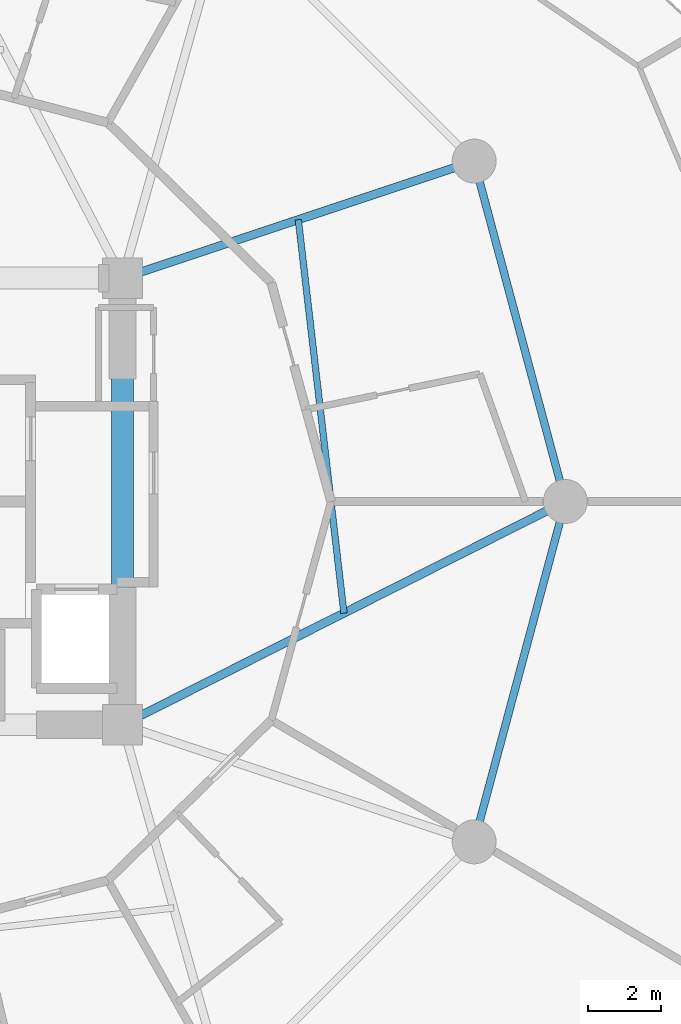
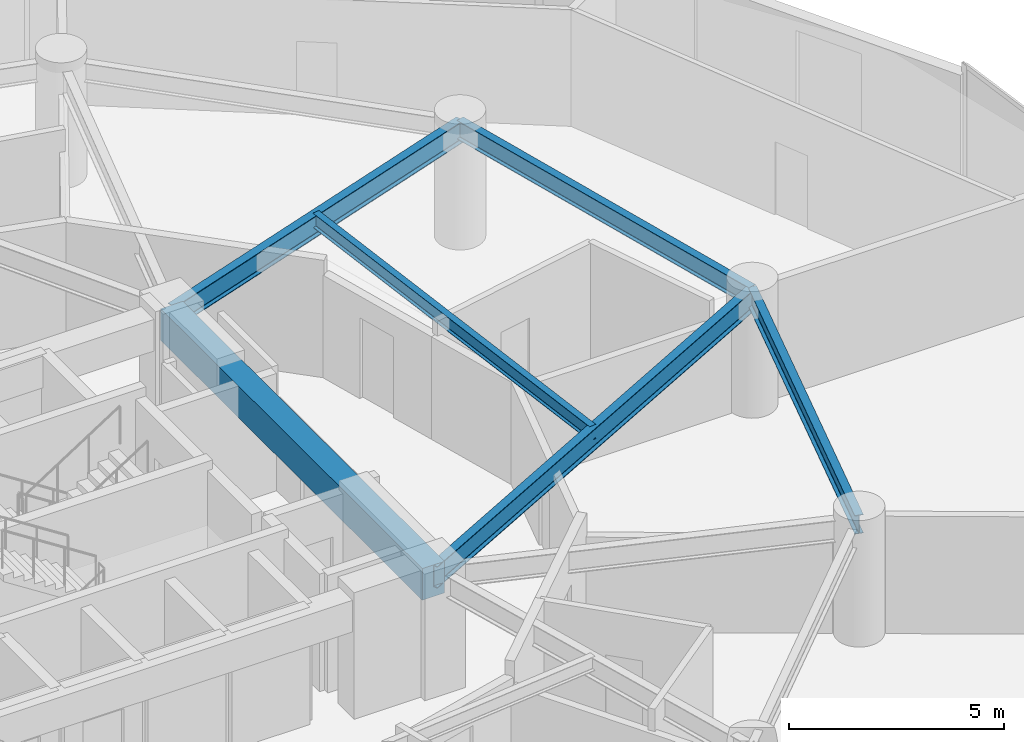
# One storey, part 11 of 26: 6 beams.
"""IFC4 building model written with IfcOpenShell, lengths in metres."""

from ifc_helpers import new_model, si_unit, direction, frame, origin, origin_2d, place, context, subcontext, project, spatial, rectangle, i_section, extrude, material, material_profile, profile_set, type_object, element, save


model = new_model("IFC4")

# Units and contexts
model_context = context("Model", 3, precision=1e-05, world=origin(), true_north=direction((0.0, 1.0)))
body_context = subcontext(model_context, "Body", "Model", "MODEL_VIEW")
ifc_project = project(units=[si_unit("LENGTHUNIT", "METRE"), si_unit("AREAUNIT", "SQUARE_METRE"), si_unit("VOLUMEUNIT", "CUBIC_METRE"), si_unit("PLANEANGLEUNIT", "RADIAN"), si_unit("MASSUNIT", "GRAM", prefix="KILO")], contexts=[model_context])

# Site, building, storey
site_placement = place(None, origin())
site = spatial("IfcSite", under=ifc_project, at=site_placement, CompositionType="ELEMENT")
building_placement = place(site_placement, origin())
building = spatial("IfcBuilding", under=site, at=building_placement, Name="Solvirekh Grand Hotel", CompositionType="ELEMENT")
storey_placement = place(building_placement, frame((0.0, 0.0, 35.60009765625)))
storey = spatial("IfcBuildingStorey", under=building, at=storey_placement, Name="L07", CompositionType="ELEMENT", Elevation=35.60009765625)

# Beams
ifc_material_1 = material(Name="Concrete C50/60", Category="concrete")
ifc_material_profile_1 = material_profile(ifc_material_1, rectangle(XDim=0.60009765625, YDim=0.89990234375, at=origin_2d()), Name="RC BEAM 600X900")
ifc_profile_set_1 = profile_set([ifc_material_profile_1], Name="Concrete C50/60")
beam_type_1 = type_object("IfcBeamType", Name="Beam_Core_RC900", PredefinedType="BEAM", material=ifc_profile_set_1)
beam_1_placement = place(storey_placement, frame((6.5, -6.10009765625, 2.889892578125), z_axis=(0.0, 1.0, 0.0), x_axis=(-1.0, 0.0, 0.0)))
element("IfcBeam", 1, at=beam_1_placement, inside=storey, type_object=beam_type_1, Name="L07 core coupling ring beam 2", PredefinedType="BEAM", context=body_context, shape_type="SweptSolid", body=[
    extrude(rectangle(XDim=0.60009765625, YDim=0.89990234375, at=origin_2d()), origin(), (0.0, 0.0, 1.0), 12.2001953125),
])
ifc_material_2 = material(Name="Steel S355", Category="steel")
ifc_material_profile_2 = material_profile(ifc_material_2, i_section(OverallWidth=0.22802734375, OverallDepth=0.616943359375, WebThickness=0.012939453125, FlangeThickness=0.02001953125, FilletRadius=0.014892578125, at=origin_2d()), Name="W610X140")
ifc_profile_set_2 = profile_set([ifc_material_profile_2], Name="Steel S355")
beam_type_2 = type_object("IfcBeamType", Name="Beam_Radial_W610", PredefinedType="BEAM", material=ifc_profile_set_2)
beam_2_placement = place(storey_placement, frame((6.5, -6.10009765625, 3.031005859375), z_axis=(0.892944939011, 0.450165898191, 0.0), x_axis=(-0.450165898191, 0.892944939011, 0.0)))
element("IfcBeam", 2, at=beam_2_placement, inside=storey, type_object=beam_type_2, Name="L07 radial floor beam R01", PredefinedType="BEAM", context=body_context, shape_type="SweptSolid", body=[
    extrude(i_section(OverallWidth=0.22802734375, OverallDepth=0.616943359375, WebThickness=0.012939453125, FlangeThickness=0.02001953125, FilletRadius=0.014892578125, at=origin_2d()), origin(), (0.0, 0.0, 1.0), 13.55078125),
])
beam_3_placement = place(storey_placement, frame((6.5, 6.10009765625, 3.031005859375), z_axis=(0.948762825819, 0.315989082635, 0.0), x_axis=(-0.315989082635, 0.948762825819, 0.0)))
element("IfcBeam", 3, at=beam_3_placement, inside=storey, type_object=beam_type_2, Name="L07 radial floor beam R02", PredefinedType="BEAM", context=body_context, shape_type="SweptSolid", body=[
    extrude(i_section(OverallWidth=0.22802734375, OverallDepth=0.616943359375, WebThickness=0.012939453125, FlangeThickness=0.02001953125, FilletRadius=0.014892578125, at=origin_2d()), origin(), (0.0, 0.0, 1.0), 10.126708984375),
])
ifc_material_profile_3 = material_profile(ifc_material_2, i_section(OverallWidth=0.177978515625, OverallDepth=0.406982421875, WebThickness=0.008056640625, FlangeThickness=0.011962890625, FilletRadius=0.011962890625, at=origin_2d()), Name="W410X60")
ifc_profile_set_3 = profile_set([ifc_material_profile_3], Name="Steel S355")
beam_type_3 = type_object("IfcBeamType", Name="Joist_Floor_W410", PredefinedType="JOIST", material=ifc_profile_set_3)
beam_4_placement = place(storey_placement, frame((12.550048828125, -3.050048828125, 3.135986328125), z_axis=(-0.115144710849, 0.993348728073, 0.0), x_axis=(-0.993348728073, -0.115144710849, 0.0)))
element("IfcBeam", 4, at=beam_4_placement, inside=storey, type_object=beam_type_3, Name="L07 secondary composite floor joist 1", PredefinedType="JOIST", context=body_context, shape_type="SweptSolid", body=[
    extrude(i_section(OverallWidth=0.177978515625, OverallDepth=0.406982421875, WebThickness=0.008056640625, FlangeThickness=0.011962890625, FilletRadius=0.011962890625, at=origin_2d()), origin(), (0.0, 0.0, 1.0), 10.822021484375),
])
ifc_material_profile_4 = material_profile(ifc_material_2, i_section(OverallWidth=0.208984375, OverallDepth=0.532958984375, WebThickness=0.010009765625, FlangeThickness=0.014892578125, FilletRadius=0.013916015625, at=origin_2d()), Name="W530X92")
ifc_profile_set_4 = profile_set([ifc_material_profile_4], Name="Steel S355")
beam_type_4 = type_object("IfcBeamType", Name="Spandrel_Ring_W530", PredefinedType="SPANDREL", material=ifc_profile_set_4)
for number, where, z_axis, x_axis, name in (
    (5, (18.60009765625, 0.0, 3.072998046875), (-0.258842973314, 0.965919414426, 0.0), (-0.965919414426, -0.258842973314, 0.0), "L07 perimeter spandrel beam 1"),
    (6, (16.10791015625, -9.300048828125, 3.072998046875), (0.258842973314, 0.965919414426, 0.0), (-0.965919414426, 0.258842973314, 0.0), "L07 perimeter spandrel beam 12"),
):
    element("IfcBeam", number, at=place(storey_placement, frame(where, z_axis=z_axis, x_axis=x_axis)), inside=storey, type_object=beam_type_4, Name=name, PredefinedType="SPANDREL", context=body_context, shape_type="SweptSolid", body=[
        extrude(i_section(OverallWidth=0.208984375, OverallDepth=0.532958984375, WebThickness=0.010009765625, FlangeThickness=0.014892578125, FilletRadius=0.013916015625, at=origin_2d()), origin(), (0.0, 0.0, 1.0), 9.628173828125),
    ])

save(model, "model.ifc")
